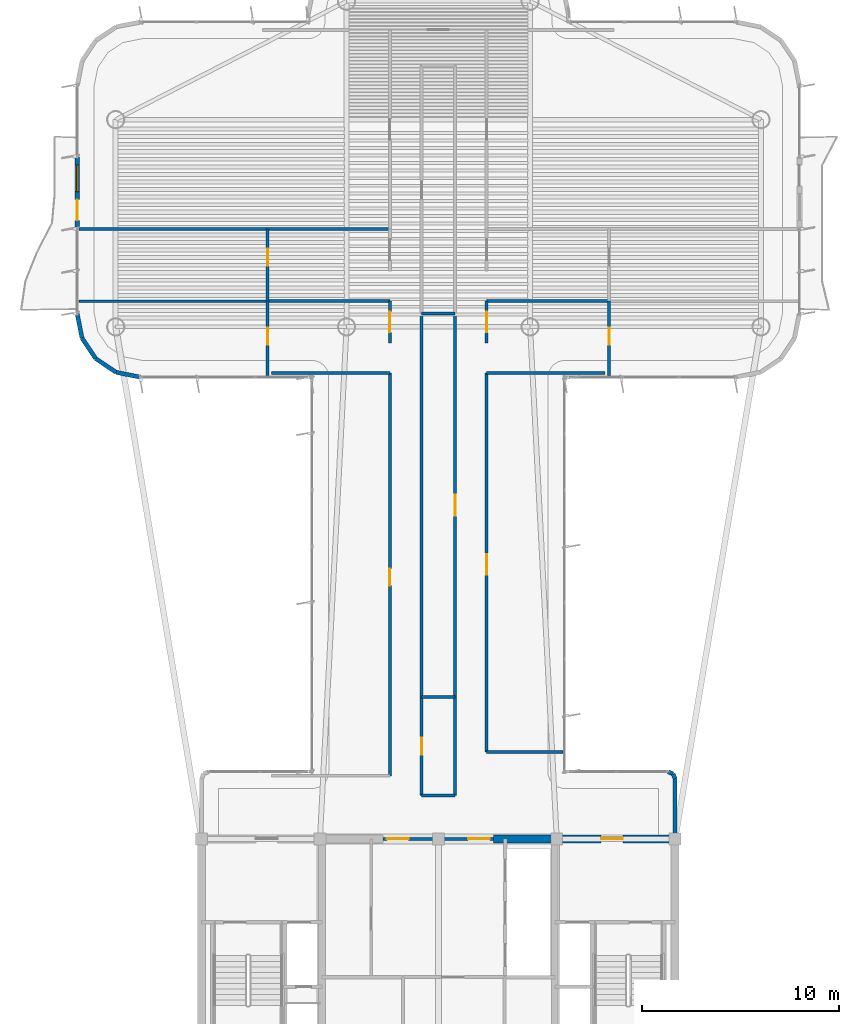
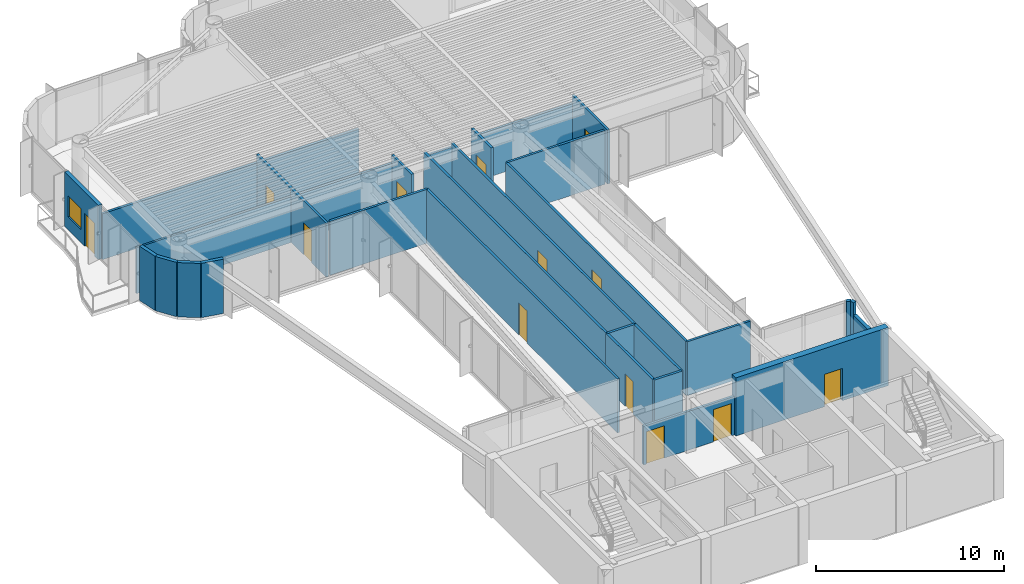
# One storey, part 11 of 15: 31 walls, 13 doors, 1 window, 14 openings.
"""IFC4 building model written with IfcOpenShell, lengths in metres."""

import ifcopenshell
import ifcopenshell.guid

model = None  # the IFC model being written
_history = None  # IfcOwnerHistory: only IFC2X3 demands one
_inside = {}  # id of a spatial element -> (the spatial element, [elements in it])
_under = {}  # id of a project, library or spatial element -> (it, [spatial elements below it])
_declared = {}  # id of a project -> (the project, [libraries it declares])
_typed = {}  # id of a type object -> (the type object, [elements of that type])
_made_of = {}  # id of a material, layer set ... -> (it, [elements and type objects made of it])


def new_model(schema):
    """Start an empty IFC model of exactly this schema.

    Asked for "IFC4X3", IfcOpenShell would pick the latest addendum, in which some entities
    have other attributes; the version numbers below select the first issue.
    IFC2X3 requires an IfcOwnerHistory on every rooted entity: one is made here for all.
    """
    global model, _history
    if schema == "IFC4X3":
        model = ifcopenshell.file(schema_version=(4, 3, 0, 0))
    else:
        model = ifcopenshell.file(schema=schema)
    _inside.clear()
    _under.clear()
    _declared.clear()
    _typed.clear()
    _made_of.clear()
    _history = None
    if model.schema == "IFC2X3":
        org = make("IfcOrganization", Name="unknown")
        user = make(
            "IfcPersonAndOrganization",
            ThePerson=make("IfcPerson", FamilyName="unknown"),
            TheOrganization=org,
        )
        app = make(
            "IfcApplication",
            ApplicationDeveloper=org,
            Version="unknown",
            ApplicationFullName="unknown",
            ApplicationIdentifier="unknown",
        )
        _history = make(
            "IfcOwnerHistory",
            OwningUser=user,
            OwningApplication=app,
            ChangeAction="ADDED",
            CreationDate=0,
        )
    return model


def make(cls, **values):
    """One entity of the class cls with the attributes given. An attribute that is None is left unset."""
    return model.create_entity(
        cls, **{name: value for name, value in values.items() if value is not None}
    )


def rooted(cls, **values):
    """An entity with a GlobalId (a new one), such as an element, a storey or a relation."""
    return make(cls, GlobalId=ifcopenshell.guid.new(), OwnerHistory=_history, **values)


def si_unit(unit_type, name, prefix=None):
    """IfcSIUnit, for example si_unit("LENGTHUNIT", "METRE", prefix="MILLI")."""
    return make("IfcSIUnit", UnitType=unit_type, Prefix=prefix, Name=name)


def assignment(units):
    """IfcUnitAssignment: the units of a project."""
    return None if units is None else make("IfcUnitAssignment", Units=units)


def point(xyz):
    """IfcCartesianPoint."""
    return None if xyz is None else make("IfcCartesianPoint", Coordinates=xyz)


def direction(xyz):
    """IfcDirection."""
    return None if xyz is None else make("IfcDirection", DirectionRatios=xyz)


def frame(location, z_axis=None, x_axis=None):
    """IfcAxis2Placement3D, a coordinate frame: its origin and axes. An axis left out is left unset."""
    return make(
        "IfcAxis2Placement3D",
        Location=point(location),
        Axis=direction(z_axis),
        RefDirection=direction(x_axis),
    )


def frame_2d(location, x_axis=None):
    """IfcAxis2Placement2D, a coordinate frame in the plane: its origin and x axis."""
    return make(
        "IfcAxis2Placement2D", Location=point(location), RefDirection=direction(x_axis)
    )


def origin():
    """The frame at (0, 0, 0) with its axes left unset."""
    return frame((0.0, 0.0, 0.0))


def origin_2d():
    """The frame at (0, 0) in the plane with its x axis left unset."""
    return frame_2d((0.0, 0.0))


def place(relative_to, where):
    """IfcLocalPlacement: puts the frame where relative to a parent placement (None: the world)."""
    return make(
        "IfcLocalPlacement", PlacementRelTo=relative_to, RelativePlacement=where
    )


def context(
    kind, dimensions, precision=None, world=None, true_north=None, identifier=None
):
    """IfcGeometricRepresentationContext, for example the 3D "Model" context."""
    return make(
        "IfcGeometricRepresentationContext",
        ContextIdentifier=identifier,
        ContextType=kind,
        CoordinateSpaceDimension=dimensions,
        Precision=precision,
        WorldCoordinateSystem=world,
        TrueNorth=true_north,
    )


def subcontext(parent, identifier, kind, view, scale=None):
    """IfcGeometricRepresentationSubContext, for example "Body" below "Model"."""
    return make(
        "IfcGeometricRepresentationSubContext",
        ContextIdentifier=identifier,
        ContextType=kind,
        ParentContext=parent,
        TargetScale=scale,
        TargetView=view,
    )


def project(units=None, contexts=None):
    """IfcProject with its units and contexts."""
    return rooted(
        "IfcProject",
        Name="project",
        RepresentationContexts=contexts,
        UnitsInContext=assignment(units),
    )


def spatial(cls, under=None, at=None, **own):
    """A site, building, storey or space (cls), placed at a placement, below another one or the project."""
    s = rooted(cls, ObjectPlacement=at, **own)
    if under is not None:
        _under.setdefault(under.id(), (under, []))[1].append(s)
    return s


def profile(cls, at=None, kind="AREA", **sizes):
    """A parametric profile (cls). Its sizes go by their IFC names, for example OverallWidth=200.0."""
    return make(cls, ProfileType=kind, Position=at, **sizes)


def rectangle(**sizes):
    """IfcRectangleProfileDef."""
    return profile("IfcRectangleProfileDef", **sizes)


def extrude(swept, where, along, depth):
    """IfcExtrudedAreaSolid: the profile swept, set in the frame where, extruded along a direction by depth."""
    return make(
        "IfcExtrudedAreaSolid",
        SweptArea=swept,
        Position=where,
        ExtrudedDirection=direction(along),
        Depth=depth,
    )


def shape(context_of_items, identifier, shape_type, items):
    """IfcShapeRepresentation: the items that make up one representation, for example the "Body"."""
    return make(
        "IfcShapeRepresentation",
        ContextOfItems=context_of_items,
        RepresentationIdentifier=identifier,
        RepresentationType=shape_type,
        Items=items,
    )


def source(mapping_origin, context_of_items, identifier, shape_type, items):
    """IfcRepresentationMap: a shape defined once, which mapped items show again and again."""
    return make(
        "IfcRepresentationMap",
        MappingOrigin=mapping_origin,
        MappedRepresentation=shape(context_of_items, identifier, shape_type, items),
    )


def transform(
    local_origin,
    x_axis=None,
    y_axis=None,
    z_axis=None,
    scale=None,
    scale2=None,
    scale3=None,
    uniform=True,
):
    """IfcCartesianTransformationOperator3D, or its non-uniform kind. x_axis, y_axis, z_axis: its Axis1, 2, 3."""
    if uniform:
        return make(
            "IfcCartesianTransformationOperator3D",
            Axis1=direction(x_axis),
            Axis2=direction(y_axis),
            LocalOrigin=point(local_origin),
            Scale=scale,
            Axis3=direction(z_axis),
        )
    return make(
        "IfcCartesianTransformationOperator3DnonUniform",
        Axis1=direction(x_axis),
        Axis2=direction(y_axis),
        LocalOrigin=point(local_origin),
        Scale=scale,
        Axis3=direction(z_axis),
        Scale2=scale2,
        Scale3=scale3,
    )


def mapped(mapping_source, mapping_target):
    """IfcMappedItem: shows the shape of a source again, moved by a transform."""
    return make(
        "IfcMappedItem", MappingSource=mapping_source, MappingTarget=mapping_target
    )


def material(Name=None, Category=None):
    """IfcMaterial."""
    return make("IfcMaterial", Name=Name, Category=Category)


def layer(
    of_material, thickness, ventilated=None, Name=None, Category=None, Priority=None
):
    """IfcMaterialLayer: one layer of a wall or slab, of a material (None: an air gap)."""
    return make(
        "IfcMaterialLayer",
        Material=of_material,
        LayerThickness=thickness,
        IsVentilated=ventilated,
        Name=Name,
        Category=Category,
        Priority=Priority,
    )


def layer_set(layers, Name=None):
    """IfcMaterialLayerSet."""
    return make("IfcMaterialLayerSet", MaterialLayers=layers, LayerSetName=Name)


def made_of(thing, what):
    """Note that an element or type object is made of a material, layer set ...; save() writes the relation."""
    if what is not None:
        _made_of.setdefault(what.id(), (what, []))[1].append(thing)
    return thing


def type_object(cls, material=None, **own):
    """A type object (cls), such as IfcWallType, which elements share."""
    return made_of(rooted(cls, **own), material)


def element(
    cls,
    number,
    at=None,
    inside=None,
    cuts=None,
    type_object=None,
    material=None,
    context=None,
    identifier="Body",
    shape_type=None,
    held_by="IfcProductDefinitionShape",
    body=None,
    shapes=None,
    **own,
):
    """One element of the class cls, such as IfcWall. Its Tag is "e" and its number.

    at: its placement. inside: the storey or other place that contains it. cuts: it is an
    opening in that element (IfcRelVoidsElement). A single representation is given by context,
    identifier, shape_type and body (its items); several are given by shapes. held_by: the class
    of the entity that holds the representations. save() writes the other relations.
    """
    e = rooted(cls, Tag="e%d" % number, ObjectPlacement=at, **own)
    if body is not None:
        shapes = [shape(context, identifier, shape_type, body)]
    if shapes is not None:
        e.Representation = make(held_by, Representations=shapes)
    if inside is not None:
        _inside.setdefault(inside.id(), (inside, []))[1].append(e)
    if cuts is not None:
        rooted(
            "IfcRelVoidsElement", RelatingBuildingElement=cuts, RelatedOpeningElement=e
        )
    if type_object is not None:
        _typed.setdefault(type_object.id(), (type_object, []))[1].append(e)
    return made_of(e, material)


def fill(opening, filler):
    """IfcRelFillsElement: the door or window that sits in an opening."""
    return rooted(
        "IfcRelFillsElement",
        RelatingOpeningElement=opening,
        RelatedBuildingElement=filler,
    )


def aggregate(whole, parts):
    """IfcRelAggregates: a whole, such as a stair, and the parts it consists of."""
    return rooted("IfcRelAggregates", RelatingObject=whole, RelatedObjects=parts)


def save(model, path):
    """Write the relations noted so far, then the file.

    IfcRelAggregates (storeys below a building ...), IfcRelContainedInSpatialStructure (elements
    in a storey), IfcRelDefinesByType, IfcRelAssociatesMaterial and IfcRelDeclares: one each for
    every whole, place, type object, material and project.
    """
    for whole, parts in _under.values():
        aggregate(whole, parts)
    for where, things in _inside.values():
        rooted(
            "IfcRelContainedInSpatialStructure",
            RelatedElements=things,
            RelatingStructure=where,
        )
    for kind, things in _typed.values():
        rooted("IfcRelDefinesByType", RelatedObjects=things, RelatingType=kind)
    for what, things in _made_of.values():
        rooted("IfcRelAssociatesMaterial", RelatedObjects=things, RelatingMaterial=what)
    for by, libraries in _declared.values():
        rooted("IfcRelDeclares", RelatingContext=by, RelatedDefinitions=libraries)
    model.write(path)


model = new_model("IFC4")

# Units and contexts
model_context = context("Model", 3, precision=1e-05, world=origin(), true_north=direction((0.0, 1.0)))
body_context = subcontext(model_context, "Body", "Model", "MODEL_VIEW")
ifc_project = project(units=[si_unit("LENGTHUNIT", "METRE"), si_unit("AREAUNIT", "SQUARE_METRE"), si_unit("VOLUMEUNIT", "CUBIC_METRE"), si_unit("PLANEANGLEUNIT", "RADIAN"), si_unit("MASSUNIT", "GRAM", prefix="KILO")], contexts=[model_context])

# Site, building, storey
site_placement = place(None, origin())
site = spatial("IfcSite", under=ifc_project, at=site_placement, CompositionType="ELEMENT")
building_placement = place(site_placement, origin())
building = spatial("IfcBuilding", under=site, at=building_placement, Name="Brelvock Crest Care Tower", CompositionType="ELEMENT")
storey_placement = place(building_placement, frame((0.0, 0.0, 249.47998046875)))
storey = spatial("IfcBuildingStorey", under=building, at=storey_placement, Name="L63", CompositionType="ELEMENT", Elevation=249.47998046875)

# Wall, opening, door
ifc_material_1 = material(Name="Concrete S65 (65 MPa)", Category="concrete")
ifc_layer_1 = layer(ifc_material_1, 0.39990234375, Name="WL-CS4")
ifc_layer_set_1 = layer_set([ifc_layer_1], Name="Concrete S65 (65 MPa)")
wall_type_1 = type_object("IfcWallType", Name="WL-CS4", PredefinedType="SHEAR", material=ifc_layer_set_1)
wall_1_placement = place(storey_placement, frame((38.800048828125, 18.0, 0.0), z_axis=(0.0, 0.0, 1.0), x_axis=(1.0, 0.0, 0.0)))
wall_1 = element("IfcWall", 1, at=wall_1_placement, inside=storey, type_object=wall_type_1, Name="L63 Core North-East Shear Wall", PredefinedType="SHEAR", context=body_context, shape_type="SweptSolid", body=[
    extrude(rectangle(XDim=9.39990234375, YDim=0.39990234375, at=frame_2d((4.699951171875, 0.0))), origin(), (0.0, 0.0, 1.0), 3.780029296875),
])
opening_1_placement = place(wall_1_placement, frame((5.449951171875, 0.0, 0.0)))
opening_1 = element("IfcOpeningElement", 2, at=opening_1_placement, cuts=wall_1, Name="Opening FD-1", PredefinedType="OPENING", context=body_context, shape_type="SweptSolid", body=[
    extrude(rectangle(XDim=1.10009765625, YDim=2.10009765625, at=origin_2d()), frame((0.550048828125, 0.2099609375, 1.050048828125), z_axis=(0.0, -1.0, 0.0), x_axis=(1.0, 0.0, 0.0)), (0.0, 0.0, 1.0), 0.419921875),
])
ifc_material_2 = material(Name="Steel Grade 350", Category="steel")
door_type_1 = type_object("IfcDoorType", Name="DR-FFL1", OperationType="NOTDEFINED", PredefinedType="DOOR", material=ifc_material_2)
shared_shape_1 = source(origin(), body_context, "Body", "SweptSolid", [
    extrude(rectangle(XDim=1.10009765625, YDim=2.10009765625, at=origin_2d()), frame((0.550048828125, 0.02490234375, 1.050048828125), z_axis=(0.0, -1.0, 0.0), x_axis=(1.0, 0.0, 0.0)), (0.0, 0.0, 1.0), 0.050048828125),
])
door_1_placement = place(opening_1_placement, origin())
door_1 = element("IfcDoor", 3, at=door_1_placement, inside=storey, type_object=door_type_1, Name="L63 Firefighting Lobby FFL-2 Exit Door", OperationType="SINGLE_SWING_RIGHT", OverallHeight=2.10009765625, OverallWidth=1.10009765625, PredefinedType="DOOR", context=body_context, shape_type="MappedRepresentation", body=[
    mapped(shared_shape_1, transform((0.0, 0.0, 0.0), x_axis=(1.0, 0.0, 0.0), y_axis=(0.0, 1.0, 0.0), z_axis=(0.0, 0.0, 1.0), scale=1.0)),
])
fill(opening_1, door_1)

# Wall, openings, door, window
ifc_material_3 = material(Name="Precast concrete N40 (40 MPa)", Category="concrete")
ifc_layer_2 = layer(ifc_material_3, 0.239990234375, Name="WL-EX1")
ifc_layer_set_2 = layer_set([ifc_layer_2], Name="Precast concrete N40 (40 MPa)")
wall_type_2 = type_object("IfcWallType", Name="WL-EX1", PredefinedType="SOLIDWALL", material=ifc_layer_set_2)
wall_2_placement = place(storey_placement, frame((17.699951171875, 48.949951171875, 0.0), z_axis=(0.0, 0.0, 1.0), x_axis=(0.0, 1.0, 0.0)))
wall_2 = element("IfcWall", 4, at=wall_2_placement, inside=storey, type_object=wall_type_2, Name="L63 Exterior Spandrel Wall WL-BAL-L63-W", PredefinedType="SOLIDWALL", context=body_context, shape_type="SweptSolid", body=[
    extrude(rectangle(XDim=3.60009765625, YDim=0.239990234375, at=frame_2d((1.800048828125, 0.0))), origin(), (0.0, 0.0, 1.0), 3.530029296875),
])
opening_2_placement = place(wall_2_placement, frame((0.39990234375, 0.0, 0.0)))
opening_2 = element("IfcOpeningElement", 5, at=opening_2_placement, cuts=wall_2, Name="Opening BD-1", PredefinedType="OPENING", context=body_context, shape_type="SweptSolid", body=[
    extrude(rectangle(XDim=1.050048828125, YDim=2.14990234375, at=origin_2d()), frame((0.52490234375, 0.1298828125, 1.074951171875), z_axis=(0.0, -1.0, 0.0), x_axis=(1.0, 0.0, 0.0)), (0.0, 0.0, 1.0), 0.260009765625),
])
opening_3_placement = place(wall_2_placement, frame((1.85009765625, 0.0, 0.85009765625)))
opening_3 = element("IfcOpeningElement", 6, at=opening_3_placement, cuts=wall_2, Name="Opening W-01", PredefinedType="OPENING", context=body_context, shape_type="SweptSolid", body=[
    extrude(rectangle(XDim=1.35009765625, YDim=1.35009765625, at=origin_2d()), frame((0.675048828125, 0.1298828125, 0.675048828125), z_axis=(0.0, -1.0, 0.0), x_axis=(1.0, 0.0, 0.0)), (0.0, 0.0, 1.0), 0.260009765625),
])
ifc_material_4 = material(Name="Dark Glass Double Glazed Low-E", Category="glass")
door_type_2 = type_object("IfcDoorType", Name="DR-BAL1", OperationType="NOTDEFINED", PredefinedType="DOOR", material=ifc_material_4)
shared_shape_2 = source(origin(), body_context, "Body", "SweptSolid", [
    extrude(rectangle(XDim=1.050048828125, YDim=2.14990234375, at=origin_2d()), frame((0.52490234375, 0.02490234375, 1.074951171875), z_axis=(0.0, -1.0, 0.0), x_axis=(1.0, 0.0, 0.0)), (0.0, 0.0, 1.0), 0.050048828125),
])
door_2_placement = place(opening_2_placement, origin())
door_2 = element("IfcDoor", 7, at=door_2_placement, inside=storey, type_object=door_type_2, Name="L63 W Wave Balcony Glazed Door", OperationType="SINGLE_SWING_LEFT", OverallHeight=2.14990234375, OverallWidth=1.050048828125, PredefinedType="DOOR", context=body_context, shape_type="MappedRepresentation", body=[
    mapped(shared_shape_2, transform((0.0, 0.0, 0.0), x_axis=(1.0, 0.0, 0.0), y_axis=(0.0, 1.0, 0.0), z_axis=(0.0, 0.0, 1.0), scale=1.0)),
])
fill(opening_2, door_2)
window_type = type_object("IfcWindowType", Name="WN-EX1", PartitioningType="SINGLE_PANEL", PredefinedType="WINDOW", material=ifc_material_4)
shared_shape_3 = source(origin(), body_context, "Body", "SweptSolid", [
    extrude(rectangle(XDim=1.35009765625, YDim=1.35009765625, at=origin_2d()), frame((0.675048828125, 0.030029296875, 0.675048828125), z_axis=(0.0, -1.0, 0.0), x_axis=(1.0, 0.0, 0.0)), (0.0, 0.0, 1.0), 0.06005859375),
])
window_placement = place(opening_3_placement, origin())
window = element("IfcWindow", 8, at=window_placement, inside=storey, type_object=window_type, Name="L63 W Suite Casement Window", OverallHeight=1.35009765625, OverallWidth=1.35009765625, PartitioningType="SINGLE_PANEL", PredefinedType="WINDOW", context=body_context, shape_type="MappedRepresentation", body=[
    mapped(shared_shape_3, transform((0.0, 0.0, 0.0), x_axis=(1.0, 0.0, 0.0), y_axis=(0.0, 1.0, 0.0), z_axis=(0.0, 0.0, 1.0), scale=1.0)),
])
fill(opening_3, window)

# Walls
ifc_layer_3 = layer(ifc_material_3, 0.215087890625, Name="WL-EX2")
ifc_layer_set_3 = layer_set([ifc_layer_3], Name="Precast concrete N40 (40 MPa)")
wall_type_3 = type_object("IfcWallType", Name="WL-EX2", PredefinedType="SOLIDWALL", material=ifc_layer_set_3)
wall_3_placement = place(storey_placement, frame((47.8974609375, 21.297607421875, 0.0), z_axis=(0.0, 0.0, 1.0), x_axis=(0.382673670509, -0.923883575944, 0.0)))
element("IfcWall", 9, at=wall_3_placement, inside=storey, type_object=wall_type_3, Name="L63 Rounded Corner Wall 00", PredefinedType="SOLIDWALL", context=body_context, shape_type="SweptSolid", body=[
    extrude(rectangle(XDim=0.26806640625, YDim=0.215087890625, at=frame_2d((0.134033203125, 0.0))), origin(), (0.0, 0.0, 1.0), 3.530029296875),
])
wall_4_placement = place(storey_placement, frame((48.0, 21.050048828125, 0.0), z_axis=(0.0, 0.0, 1.0), x_axis=(0.0, -1.0, 0.0)))
element("IfcWall", 10, at=wall_4_placement, inside=storey, type_object=wall_type_3, Name="L63 Rounded Corner Wall 01", PredefinedType="SOLIDWALL", context=body_context, shape_type="SweptSolid", body=[
    extrude(rectangle(XDim=2.77001953125, YDim=0.215087890625, at=frame_2d((1.385009765625, 0.0))), origin(), (0.0, 0.0, 1.0), 2.718017578125),
])
for number, where, z_axis, x_axis, name in (
    (11, (20.89990234375, 41.39990234375, 0.0), (0.0, 0.0, 1.0), (-0.980775717779, 0.195138390419, 0.0), "L63 Rounded Corner Wall 13"),
    (12, (19.67529296875, 41.6435546875, 0.0), (0.0, 0.0, 1.0), (-0.831387912822, 0.555692485475, 0.0), "L63 Rounded Corner Wall 14"),
    (13, (18.63720703125, 42.33740234375, 0.0), (0.0, 0.0, 1.0), (-0.555557312883, 0.831478245117, 0.0), "L63 Rounded Corner Wall 15"),
    (14, (17.943603515625, 43.37548828125, 0.0), (0.0, 0.0, 1.0), (-0.195138390419, 0.980775717779, 0.0), "L63 Rounded Corner Wall 16"),
):
    element("IfcWall", number, at=place(storey_placement, frame(where, z_axis=z_axis, x_axis=x_axis)), inside=storey, type_object=wall_type_3, Name=name, PredefinedType="SOLIDWALL", context=body_context, shape_type="SweptSolid", body=[
        extrude(rectangle(XDim=1.24853515625, YDim=0.215087890625, at=frame_2d((0.624267578125, 0.0))), origin(), (0.0, 0.0, 1.0), 3.530029296875),
    ])
wall_5_placement = place(storey_placement, frame((47.64990234375, 21.39990234375, 0.0), z_axis=(0.0, 0.0, 1.0), x_axis=(0.924205486139, -0.381895560841, 0.0)))
element("IfcWall", 15, at=wall_5_placement, inside=storey, type_object=wall_type_3, Name="L63 Rounded Corner Wall 47", PredefinedType="SOLIDWALL", context=body_context, shape_type="SweptSolid", body=[
    extrude(rectangle(XDim=0.267822265625, YDim=0.215087890625, at=frame_2d((0.1337890625, 0.0))), origin(), (0.0, 0.0, 1.0), 3.530029296875),
])

# Wall, openings, doors
ifc_material_5 = material(Name="Masonry Blockwork Acoustic Partition", Category="masonry")
ifc_layer_4 = layer(ifc_material_5, 0.14990234375, Name="WL-INT1")
ifc_layer_set_4 = layer_set([ifc_layer_4], Name="Masonry Blockwork Acoustic Partition")
wall_type_4 = type_object("IfcWallType", Name="WL-INT1", PredefinedType="PARTITIONING", material=ifc_layer_set_4)
wall_6_placement = place(storey_placement, frame((33.199951171875, 18.0, 0.0), z_axis=(0.0, 0.0, 1.0), x_axis=(1.0, 0.0, 0.0)))
wall_6 = element("IfcWall", 16, at=wall_6_placement, inside=storey, type_object=wall_type_4, Name="L63 Interior Wall WL-CORE-NPORT-L63", PredefinedType="PARTITIONING", context=body_context, shape_type="SweptSolid", body=[
    extrude(rectangle(XDim=5.60009765625, YDim=0.14990234375, at=frame_2d((2.800048828125, 0.0))), origin(), (0.0, 0.0, 1.0), 2.51513671875),
])
opening_4_placement = place(wall_6_placement, frame((0.18994140625, 0.0, 0.0)))
opening_4 = element("IfcOpeningElement", 17, at=opening_4_placement, cuts=wall_6, Name="Opening FD-1", PredefinedType="OPENING", context=body_context, shape_type="SweptSolid", body=[
    extrude(rectangle(XDim=1.10009765625, YDim=2.10009765625, at=origin_2d()), frame((0.550048828125, 0.0849609375, 1.050048828125), z_axis=(0.0, -1.0, 0.0), x_axis=(1.0, 0.0, 0.0)), (0.0, 0.0, 1.0), 0.169921875),
])
opening_5_placement = place(wall_6_placement, frame((4.31005859375, 0.0, 0.0)))
opening_5 = element("IfcOpeningElement", 18, at=opening_5_placement, cuts=wall_6, Name="Opening FD-1", PredefinedType="OPENING", context=body_context, shape_type="SweptSolid", body=[
    extrude(rectangle(XDim=1.10009765625, YDim=2.10009765625, at=origin_2d()), frame((0.550048828125, 0.0849609375, 1.050048828125), z_axis=(0.0, -1.0, 0.0), x_axis=(1.0, 0.0, 0.0)), (0.0, 0.0, 1.0), 0.169921875),
])
door_3_placement = place(opening_4_placement, origin())
door_3 = element("IfcDoor", 19, at=door_3_placement, inside=storey, type_object=door_type_1, Name="L63 Lift Lobby North Smoke Door West", OperationType="SINGLE_SWING_LEFT", OverallHeight=2.10009765625, OverallWidth=1.10009765625, PredefinedType="DOOR", context=body_context, shape_type="MappedRepresentation", body=[
    mapped(shared_shape_1, transform((0.0, 0.0, 0.0), x_axis=(1.0, 0.0, 0.0), y_axis=(0.0, 1.0, 0.0), z_axis=(0.0, 0.0, 1.0), scale=1.0)),
])
fill(opening_4, door_3)
door_4_placement = place(opening_5_placement, origin())
door_4 = element("IfcDoor", 20, at=door_4_placement, inside=storey, type_object=door_type_1, Name="L63 Lift Lobby North Smoke Door East", OperationType="SINGLE_SWING_RIGHT", OverallHeight=2.10009765625, OverallWidth=1.10009765625, PredefinedType="DOOR", context=body_context, shape_type="MappedRepresentation", body=[
    mapped(shared_shape_1, transform((0.0, 0.0, 0.0), x_axis=(1.0, 0.0, 0.0), y_axis=(0.0, 1.0, 0.0), z_axis=(0.0, 0.0, 1.0), scale=1.0)),
])
fill(opening_5, door_4)

# Walls
wall_7_placement = place(storey_placement, frame((38.449951171875, 22.39990234375, 0.0), z_axis=(0.0, 0.0, 1.0), x_axis=(1.0, 0.0, 0.0)))
element("IfcWall", 21, at=wall_7_placement, inside=storey, type_object=wall_type_4, Name="L63 Interior Wall WL-BX-L63-THRE-S", PredefinedType="PARTITIONING", context=body_context, shape_type="SweptSolid", body=[
    extrude(rectangle(XDim=3.873291015625, YDim=0.14990234375, at=frame_2d((1.9365234375, 0.0))), origin(), (0.0, 0.0, 1.0), 3.5),
])
wall_8_placement = place(storey_placement, frame((27.557861328125, 41.60009765625, 0.0), z_axis=(0.0, 0.0, 1.0), x_axis=(1.0, 0.0, 0.0)))
element("IfcWall", 22, at=wall_8_placement, inside=storey, type_object=wall_type_4, Name="L63 Interior Wall WL-BX-L63-CS-WR1A-S", PredefinedType="PARTITIONING", context=body_context, shape_type="SweptSolid", body=[
    extrude(rectangle(XDim=5.9921875, YDim=0.14990234375, at=frame_2d((2.99609375, 0.0))), origin(), (0.0, 0.0, 1.0), 3.5),
])
wall_9_placement = place(storey_placement, frame((38.449951171875, 41.60009765625, 0.0), z_axis=(0.0, 0.0, 1.0), x_axis=(1.0, 0.0, 0.0)))
element("IfcWall", 23, at=wall_9_placement, inside=storey, type_object=wall_type_4, Name="L63 Interior Wall WL-BX-L63-CS-ER1A-S", PredefinedType="PARTITIONING", context=body_context, shape_type="SweptSolid", body=[
    extrude(rectangle(XDim=5.993408203125, YDim=0.14990234375, at=frame_2d((2.99658203125, 0.0))), origin(), (0.0, 0.0, 1.0), 3.5),
])
wall_10_placement = place(storey_placement, frame((35.14990234375, 44.6201171875, 0.0), z_axis=(0.0, 0.0, 1.0), x_axis=(1.0, 0.0, 0.0)))
element("IfcWall", 24, at=wall_10_placement, inside=storey, type_object=wall_type_4, Name="L63 Interior Wall WL-BX-L63-ISKT-S", PredefinedType="PARTITIONING", context=body_context, shape_type="SweptSolid", body=[
    extrude(rectangle(XDim=1.7001953125, YDim=0.14990234375, at=frame_2d((0.85009765625, 0.0))), origin(), (0.0, 0.0, 1.0), 3.259033203125),
])
for number, where, z_axis, x_axis, name in (
    (25, (27.35009765625, 45.25390625, 0.0), (0.0, 0.0, 1.0), (1.0, 0.0, 0.0), "L63 Interior Wall WL-BX-L63-CS-WR1A-N"),
    (26, (38.449951171875, 45.25390625, 0.0), (0.0, 0.0, 1.0), (1.0, 0.0, 0.0), "L63 Interior Wall WL-BX-L63-CS-ER1A-N"),
):
    element("IfcWall", number, at=place(storey_placement, frame(where, z_axis=z_axis, x_axis=x_axis)), inside=storey, type_object=wall_type_4, Name=name, PredefinedType="PARTITIONING", context=body_context, shape_type="SweptSolid", body=[
        extrude(rectangle(XDim=6.199951171875, YDim=0.14990234375, at=frame_2d((3.10009765625, 0.0))), origin(), (0.0, 0.0, 1.0), 2.98193359375),
    ])
wall_11_placement = place(storey_placement, frame((17.780029296875, 48.907958984375, 0.0), z_axis=(0.0, 0.0, 1.0), x_axis=(1.0, 0.0, 0.0)))
element("IfcWall", 27, at=wall_11_placement, inside=storey, type_object=wall_type_4, Name="L63 Interior Wall WL-BX-L63-WRC-S", PredefinedType="PARTITIONING", context=body_context, shape_type="SweptSolid", body=[
    extrude(rectangle(XDim=15.77001953125, YDim=0.14990234375, at=frame_2d((7.885009765625, 0.0))), origin(), (0.0, 0.0, 1.0), 2.98193359375),
])

# Wall, opening, door
wall_12_placement = place(storey_placement, frame((27.35009765625, 41.47998046875, 0.0), z_axis=(0.0, 0.0, 1.0), x_axis=(0.0, 1.0, 0.0)))
wall_12 = element("IfcWall", 28, at=wall_12_placement, inside=storey, type_object=wall_type_4, Name="L63 Interior Wall WL-RM-L63-WR1AS", PredefinedType="PARTITIONING", context=body_context, shape_type="SweptSolid", body=[
    extrude(rectangle(XDim=3.77392578125, YDim=0.14990234375, at=frame_2d((1.886962890625, 0.0))), origin(), (0.0, 0.0, 1.0), 3.5),
])
opening_6_placement = place(wall_12_placement, frame((1.56005859375, 0.0, 0.0)))
opening_6 = element("IfcOpeningElement", 29, at=opening_6_placement, cuts=wall_12, Name="Opening ID-1", PredefinedType="OPENING", context=body_context, shape_type="SweptSolid", body=[
    extrude(rectangle(XDim=0.860107421875, YDim=2.10009765625, at=origin_2d()), frame((0.43017578125, 0.0849609375, 1.050048828125), z_axis=(0.0, -1.0, 0.0), x_axis=(1.0, 0.0, 0.0)), (0.0, 0.0, 1.0), 0.169921875),
])
ifc_material_6 = material(Name="Engineered Hardwood Timber", Category="wood")
door_type_3 = type_object("IfcDoorType", Name="DR-INT1", OperationType="NOTDEFINED", PredefinedType="DOOR", material=ifc_material_6)
shared_shape_4 = source(origin(), body_context, "Body", "SweptSolid", [
    extrude(rectangle(XDim=0.860107421875, YDim=2.10009765625, at=origin_2d()), frame((0.43017578125, 0.02490234375, 1.050048828125), z_axis=(0.0, -1.0, 0.0), x_axis=(1.0, 0.0, 0.0)), (0.0, 0.0, 1.0), 0.050048828125),
])
door_5_placement = place(opening_6_placement, origin())
door_5 = element("IfcDoor", 30, at=door_5_placement, inside=storey, type_object=door_type_3, Name="L63 Rehab Recovery Mobility Store Door WR1AS", OperationType="SINGLE_SWING_LEFT", OverallHeight=2.10009765625, OverallWidth=0.860107421875, PredefinedType="DOOR", context=body_context, shape_type="MappedRepresentation", body=[
    mapped(shared_shape_4, transform((0.0, 0.0, 0.0), x_axis=(1.0, 0.0, 0.0), y_axis=(0.0, 1.0, 0.0), z_axis=(0.0, 0.0, 1.0), scale=1.0)),
])
fill(opening_6, door_5)

wall_13_placement = place(storey_placement, frame((27.35009765625, 45.25390625, 0.0), z_axis=(0.0, 0.0, 1.0), x_axis=(0.0, 1.0, 0.0)))
wall_13 = element("IfcWall", 31, at=wall_13_placement, inside=storey, type_object=wall_type_4, Name="L63 Interior Wall WL-RM-L63-WR1BS", PredefinedType="PARTITIONING", context=body_context, shape_type="SweptSolid", body=[
    extrude(rectangle(XDim=3.654052734375, YDim=0.14990234375, at=frame_2d((1.8271484375, 0.0))), origin(), (0.0, 0.0, 1.0), 3.5),
])
opening_7_placement = place(wall_13_placement, frame((1.785888671875, 0.0, 0.0)))
opening_7 = element("IfcOpeningElement", 32, at=opening_7_placement, cuts=wall_13, Name="Opening ID-1", PredefinedType="OPENING", context=body_context, shape_type="SweptSolid", body=[
    extrude(rectangle(XDim=0.860107421875, YDim=2.10009765625, at=origin_2d()), frame((0.43017578125, 0.0849609375, 1.050048828125), z_axis=(0.0, -1.0, 0.0), x_axis=(1.0, 0.0, 0.0)), (0.0, 0.0, 1.0), 0.169921875),
])
door_6_placement = place(opening_7_placement, origin())
door_6 = element("IfcDoor", 33, at=door_6_placement, inside=storey, type_object=door_type_3, Name="L63 Rehab Recovery Mobility Store Door WR1BS", OperationType="SINGLE_SWING_LEFT", OverallHeight=2.10009765625, OverallWidth=0.860107421875, PredefinedType="DOOR", context=body_context, shape_type="MappedRepresentation", body=[
    mapped(shared_shape_4, transform((0.0, 0.0, 0.0), x_axis=(1.0, 0.0, 0.0), y_axis=(0.0, 1.0, 0.0), z_axis=(0.0, 0.0, 1.0), scale=1.0)),
])
fill(opening_7, door_6)

wall_14_placement = place(storey_placement, frame((33.550048828125, 21.199951171875, 0.0), z_axis=(0.0, 0.0, 1.0), x_axis=(0.0, 1.0, 0.0)))
wall_14 = element("IfcWall", 34, at=wall_14_placement, inside=storey, type_object=wall_type_4, Name="L63 Interior Wall WL-RM-L63-THRW", PredefinedType="PARTITIONING", context=body_context, shape_type="SweptSolid", body=[
    extrude(rectangle(XDim=20.400146484375, YDim=0.14990234375, at=frame_2d((10.2001953125, 0.0))), origin(), (0.0, 0.0, 1.0), 3.5),
])
opening_8_placement = place(wall_14_placement, frame((9.639892578125, 0.0, 0.0)))
opening_8 = element("IfcOpeningElement", 35, at=opening_8_placement, cuts=wall_14, Name="Opening ID-1", PredefinedType="OPENING", context=body_context, shape_type="SweptSolid", body=[
    extrude(rectangle(XDim=0.860107421875, YDim=2.10009765625, at=origin_2d()), frame((0.43017578125, 0.0849609375, 1.050048828125), z_axis=(0.0, -1.0, 0.0), x_axis=(1.0, 0.0, 0.0)), (0.0, 0.0, 1.0), 0.169921875),
])
door_7_placement = place(opening_8_placement, origin())
door_7 = element("IfcDoor", 36, at=door_7_placement, inside=storey, type_object=door_type_3, Name="L63 Quiet Family Consultation Room Door THRW", OperationType="SINGLE_SWING_LEFT", OverallHeight=2.10009765625, OverallWidth=0.860107421875, PredefinedType="DOOR", context=body_context, shape_type="MappedRepresentation", body=[
    mapped(shared_shape_4, transform((0.0, 0.0, 0.0), x_axis=(1.0, 0.0, 0.0), y_axis=(0.0, 1.0, 0.0), z_axis=(0.0, 0.0, 1.0), scale=1.0)),
])
fill(opening_8, door_7)

wall_15_placement = place(storey_placement, frame((33.550048828125, 43.135009765625, 0.0), z_axis=(0.0, 0.0, 1.0), x_axis=(0.0, 1.0, 0.0)))
wall_15 = element("IfcWall", 37, at=wall_15_placement, inside=storey, type_object=wall_type_4, Name="L63 Interior Wall WL-CENT-L63-WR1A", PredefinedType="PARTITIONING", context=body_context, shape_type="SweptSolid", body=[
    extrude(rectangle(XDim=2.118896484375, YDim=0.14990234375, at=frame_2d((1.0595703125, 0.0))), origin(), (0.0, 0.0, 1.0), 3.5),
])
opening_9_placement = place(wall_15_placement, frame((0.5390625, 0.0, 0.0)))
opening_9 = element("IfcOpeningElement", 38, at=opening_9_placement, cuts=wall_15, Name="Opening CD-1", PredefinedType="OPENING", context=body_context, shape_type="SweptSolid", body=[
    extrude(rectangle(XDim=1.050048828125, YDim=2.10009765625, at=origin_2d()), frame((0.52490234375, 0.0849609375, 1.050048828125), z_axis=(0.0, -1.0, 0.0), x_axis=(1.0, 0.0, 0.0)), (0.0, 0.0, 1.0), 0.169921875),
])
door_type_4 = type_object("IfcDoorType", Name="DR-CARE1", OperationType="NOTDEFINED", PredefinedType="DOOR", material=ifc_material_6)
shared_shape_5 = source(origin(), body_context, "Body", "SweptSolid", [
    extrude(rectangle(XDim=1.050048828125, YDim=2.10009765625, at=origin_2d()), frame((0.52490234375, 0.02490234375, 1.050048828125), z_axis=(0.0, -1.0, 0.0), x_axis=(1.0, 0.0, 0.0)), (0.0, 0.0, 1.0), 0.050048828125),
])
door_8_placement = place(opening_9_placement, origin())
door_8 = element("IfcDoor", 39, at=door_8_placement, inside=storey, type_object=door_type_4, Name="L63 Care Suite Door WR1A", OperationType="SINGLE_SWING_LEFT", OverallHeight=2.10009765625, OverallWidth=1.050048828125, PredefinedType="DOOR", context=body_context, shape_type="MappedRepresentation", body=[
    mapped(shared_shape_5, transform((0.0, 0.0, 0.0), x_axis=(1.0, 0.0, 0.0), y_axis=(0.0, 1.0, 0.0), z_axis=(0.0, 0.0, 1.0), scale=1.0)),
])
fill(opening_9, door_8)

# Wall
wall_16_placement = place(storey_placement, frame((35.14990234375, 25.199951171875, 0.0), z_axis=(0.0, 0.0, 1.0), x_axis=(0.0, 1.0, 0.0)))
element("IfcWall", 40, at=wall_16_placement, inside=storey, type_object=wall_type_4, Name="L63 Interior Wall WL-BX-L63-ISNS-W", PredefinedType="PARTITIONING", context=body_context, shape_type="SweptSolid", body=[
    extrude(rectangle(XDim=19.420166015625, YDim=0.14990234375, at=frame_2d((9.7099609375, 0.0))), origin(), (0.0, 0.0, 1.0), 3.5),
])

# Wall, opening, door
wall_17_placement = place(storey_placement, frame((36.85009765625, 25.199951171875, 0.0), z_axis=(0.0, 0.0, 1.0), x_axis=(0.0, 1.0, 0.0)))
wall_17 = element("IfcWall", 41, at=wall_17_placement, inside=storey, type_object=wall_type_4, Name="L63 Interior Wall WL-RM-L63-ISNS", PredefinedType="PARTITIONING", context=body_context, shape_type="SweptSolid", body=[
    extrude(rectangle(XDim=19.420166015625, YDim=0.14990234375, at=frame_2d((9.7099609375, 0.0))), origin(), (0.0, 0.0, 1.0), 3.5),
])
opening_10_placement = place(wall_17_placement, frame((9.18505859375, 0.0, 0.0)))
opening_10 = element("IfcOpeningElement", 42, at=opening_10_placement, cuts=wall_17, Name="Opening CLD-1", PredefinedType="OPENING", context=body_context, shape_type="SweptSolid", body=[
    extrude(rectangle(XDim=1.050048828125, YDim=2.10009765625, at=origin_2d()), frame((0.52490234375, 0.0849609375, 1.050048828125), z_axis=(0.0, -1.0, 0.0), x_axis=(1.0, 0.0, 0.0)), (0.0, 0.0, 1.0), 0.169921875),
])
door_type_5 = type_object("IfcDoorType", Name="DR-CLN1", OperationType="NOTDEFINED", PredefinedType="DOOR", material=ifc_material_6)
shared_shape_6 = source(origin(), body_context, "Body", "SweptSolid", [
    extrude(rectangle(XDim=1.050048828125, YDim=2.10009765625, at=origin_2d()), frame((0.52490234375, 0.02490234375, 1.050048828125), z_axis=(0.0, -1.0, 0.0), x_axis=(1.0, 0.0, 0.0)), (0.0, 0.0, 1.0), 0.050048828125),
])
door_9_placement = place(opening_10_placement, origin())
door_9 = element("IfcDoor", 43, at=door_9_placement, inside=storey, type_object=door_type_5, Name="L63 Care Concierge and Triage Station Door ISNS", OperationType="SINGLE_SWING_LEFT", OverallHeight=2.10009765625, OverallWidth=1.050048828125, PredefinedType="DOOR", context=body_context, shape_type="MappedRepresentation", body=[
    mapped(shared_shape_6, transform((0.0, 0.0, 0.0), x_axis=(1.0, 0.0, 0.0), y_axis=(0.0, 1.0, 0.0), z_axis=(0.0, 0.0, 1.0), scale=1.0)),
])
fill(opening_10, door_9)

wall_18_placement = place(storey_placement, frame((38.449951171875, 22.39990234375, 0.0), z_axis=(0.0, 0.0, 1.0), x_axis=(0.0, 1.0, 0.0)))
wall_18 = element("IfcWall", 44, at=wall_18_placement, inside=storey, type_object=wall_type_4, Name="L63 Interior Wall WL-RM-L63-THRE", PredefinedType="PARTITIONING", context=body_context, shape_type="SweptSolid", body=[
    extrude(rectangle(XDim=19.2001953125, YDim=0.14990234375, at=frame_2d((9.60009765625, 0.0))), origin(), (0.0, 0.0, 1.0), 3.5),
])
opening_11_placement = place(wall_18_placement, frame((8.97509765625, 0.0, 0.0)))
opening_11 = element("IfcOpeningElement", 45, at=opening_11_placement, cuts=wall_18, Name="Opening CLD-1", PredefinedType="OPENING", context=body_context, shape_type="SweptSolid", body=[
    extrude(rectangle(XDim=1.050048828125, YDim=2.10009765625, at=origin_2d()), frame((0.52490234375, 0.0849609375, 1.050048828125), z_axis=(0.0, -1.0, 0.0), x_axis=(1.0, 0.0, 0.0)), (0.0, 0.0, 1.0), 0.169921875),
])
door_10_placement = place(opening_11_placement, origin())
door_10 = element("IfcDoor", 46, at=door_10_placement, inside=storey, type_object=door_type_5, Name="L63 Allied Health Therapy Room Door THRE", OperationType="SINGLE_SWING_LEFT", OverallHeight=2.10009765625, OverallWidth=1.050048828125, PredefinedType="DOOR", context=body_context, shape_type="MappedRepresentation", body=[
    mapped(shared_shape_6, transform((0.0, 0.0, 0.0), x_axis=(1.0, 0.0, 0.0), y_axis=(0.0, 1.0, 0.0), z_axis=(0.0, 0.0, 1.0), scale=1.0)),
])
fill(opening_11, door_10)

wall_19_placement = place(storey_placement, frame((38.449951171875, 43.135009765625, 0.0), z_axis=(0.0, 0.0, 1.0), x_axis=(0.0, 1.0, 0.0)))
wall_19 = element("IfcWall", 47, at=wall_19_placement, inside=storey, type_object=wall_type_4, Name="L63 Interior Wall WL-CENT-L63-ER1A", PredefinedType="PARTITIONING", context=body_context, shape_type="SweptSolid", body=[
    extrude(rectangle(XDim=2.118896484375, YDim=0.14990234375, at=frame_2d((1.0595703125, 0.0))), origin(), (0.0, 0.0, 1.0), 3.5),
])
opening_12_placement = place(wall_19_placement, frame((0.5390625, 0.0, 0.0)))
opening_12 = element("IfcOpeningElement", 48, at=opening_12_placement, cuts=wall_19, Name="Opening CD-1", PredefinedType="OPENING", context=body_context, shape_type="SweptSolid", body=[
    extrude(rectangle(XDim=1.050048828125, YDim=2.10009765625, at=origin_2d()), frame((0.52490234375, 0.0849609375, 1.050048828125), z_axis=(0.0, -1.0, 0.0), x_axis=(1.0, 0.0, 0.0)), (0.0, 0.0, 1.0), 0.169921875),
])
door_11_placement = place(opening_12_placement, origin())
door_11 = element("IfcDoor", 49, at=door_11_placement, inside=storey, type_object=door_type_4, Name="L63 Care Suite Door ER1A", OperationType="SINGLE_SWING_LEFT", OverallHeight=2.10009765625, OverallWidth=1.050048828125, PredefinedType="DOOR", context=body_context, shape_type="MappedRepresentation", body=[
    mapped(shared_shape_5, transform((0.0, 0.0, 0.0), x_axis=(1.0, 0.0, 0.0), y_axis=(0.0, 1.0, 0.0), z_axis=(0.0, 0.0, 1.0), scale=1.0)),
])
fill(opening_12, door_11)

wall_20_placement = place(storey_placement, frame((44.64990234375, 41.47998046875, 0.0), z_axis=(0.0, 0.0, 1.0), x_axis=(0.0, 1.0, 0.0)))
wall_20 = element("IfcWall", 50, at=wall_20_placement, inside=storey, type_object=wall_type_4, Name="L63 Interior Wall WL-RM-L63-ER1AS", PredefinedType="PARTITIONING", context=body_context, shape_type="SweptSolid", body=[
    extrude(rectangle(XDim=3.77392578125, YDim=0.14990234375, at=frame_2d((1.886962890625, 0.0))), origin(), (0.0, 0.0, 1.0), 3.5),
])
opening_13_placement = place(wall_20_placement, frame((1.56005859375, 0.0, 0.0)))
opening_13 = element("IfcOpeningElement", 51, at=opening_13_placement, cuts=wall_20, Name="Opening ID-1", PredefinedType="OPENING", context=body_context, shape_type="SweptSolid", body=[
    extrude(rectangle(XDim=0.860107421875, YDim=2.10009765625, at=origin_2d()), frame((0.43017578125, 0.0849609375, 1.050048828125), z_axis=(0.0, -1.0, 0.0), x_axis=(1.0, 0.0, 0.0)), (0.0, 0.0, 1.0), 0.169921875),
])
door_12_placement = place(opening_13_placement, origin())
door_12 = element("IfcDoor", 52, at=door_12_placement, inside=storey, type_object=door_type_3, Name="L63 Rehab Recovery Mobility Store Door ER1AS", OperationType="SINGLE_SWING_LEFT", OverallHeight=2.10009765625, OverallWidth=0.860107421875, PredefinedType="DOOR", context=body_context, shape_type="MappedRepresentation", body=[
    mapped(shared_shape_4, transform((0.0, 0.0, 0.0), x_axis=(1.0, 0.0, 0.0), y_axis=(0.0, 1.0, 0.0), z_axis=(0.0, 0.0, 1.0), scale=1.0)),
])
fill(opening_13, door_12)

# Walls
ifc_material_7 = material(Name="Gypsum Plasterboard Partition", Category="gypsum")
ifc_layer_5 = layer(ifc_material_7, 0.1201171875, Name="WL-INT2")
ifc_layer_set_5 = layer_set([ifc_layer_5], Name="Gypsum Plasterboard Partition")
wall_type_5 = type_object("IfcWallType", Name="WL-INT2", PredefinedType="PARTITIONING", material=ifc_layer_set_5)
wall_21_placement = place(storey_placement, frame((17.780029296875, 45.25390625, 0.0), z_axis=(0.0, 0.0, 1.0), x_axis=(1.0, 0.0, 0.0)))
element("IfcWall", 53, at=wall_21_placement, inside=storey, type_object=wall_type_5, Name="L63 Interior Wall WL-BX-L63-WR1AS-N", PredefinedType="PARTITIONING", context=body_context, shape_type="SweptSolid", body=[
    extrude(rectangle(XDim=9.570068359375, YDim=0.1201171875, at=frame_2d((4.78515625, 0.0))), origin(), (0.0, 0.0, 1.0), 2.98193359375),
])
ifc_layer_6 = layer(ifc_material_7, 0.159912109375, Name="WL-PLM1")
ifc_layer_set_6 = layer_set([ifc_layer_6], Name="Gypsum Plasterboard Partition")
wall_type_6 = type_object("IfcWallType", Name="WL-PLM1", PredefinedType="PLUMBINGWALL", material=ifc_layer_set_6)
for number, where, z_axis, x_axis, name in (
    (54, (35.14990234375, 20.199951171875, 0.0), (0.0, 0.0, 1.0), (1.0, 0.0, 0.0), "L63 Interior Wall WL-BX-L63-ISWC-S"),
    (55, (35.14990234375, 25.199951171875, 0.0), (0.0, 0.0, 1.0), (1.0, 0.0, 0.0), "L63 Interior Wall WL-BX-L63-ISNS-S"),
):
    element("IfcWall", number, at=place(storey_placement, frame(where, z_axis=z_axis, x_axis=x_axis)), inside=storey, type_object=wall_type_6, Name=name, PredefinedType="PLUMBINGWALL", context=body_context, shape_type="SweptSolid", body=[
        extrude(rectangle(XDim=1.7001953125, YDim=0.159912109375, at=frame_2d((0.85009765625, 0.0))), origin(), (0.0, 0.0, 1.0), 3.5),
    ])

# Wall, opening, door
wall_22_placement = place(storey_placement, frame((35.14990234375, 20.199951171875, 0.0), z_axis=(0.0, 0.0, 1.0), x_axis=(0.0, 1.0, 0.0)))
wall_22 = element("IfcWall", 56, at=wall_22_placement, inside=storey, type_object=wall_type_6, Name="L63 Interior Wall WL-RM-L63-ISWC", PredefinedType="PLUMBINGWALL", context=body_context, shape_type="SweptSolid", body=[
    extrude(rectangle(XDim=5.0, YDim=0.159912109375, at=frame_2d((2.5, 0.0))), origin(), (0.0, 0.0, 1.0), 3.5),
])
opening_14_placement = place(wall_22_placement, frame((2.070068359375, 0.0, 0.0)))
opening_14 = element("IfcOpeningElement", 57, at=opening_14_placement, cuts=wall_22, Name="Opening WD-1", PredefinedType="OPENING", context=body_context, shape_type="SweptSolid", body=[
    extrude(rectangle(XDim=0.860107421875, YDim=2.10009765625, at=origin_2d()), frame((0.43017578125, 0.08984375, 1.050048828125), z_axis=(0.0, -1.0, 0.0), x_axis=(1.0, 0.0, 0.0)), (0.0, 0.0, 1.0), 0.179931640625),
])
door_type_6 = type_object("IfcDoorType", Name="DR-WC1", OperationType="NOTDEFINED", PredefinedType="DOOR", material=ifc_material_6)
shared_shape_7 = source(origin(), body_context, "Body", "SweptSolid", [
    extrude(rectangle(XDim=0.860107421875, YDim=2.10009765625, at=origin_2d()), frame((0.43017578125, 0.02490234375, 1.050048828125), z_axis=(0.0, -1.0, 0.0), x_axis=(1.0, 0.0, 0.0)), (0.0, 0.0, 1.0), 0.050048828125),
])
door_13_placement = place(opening_14_placement, origin())
door_13 = element("IfcDoor", 58, at=door_13_placement, inside=storey, type_object=door_type_6, Name="L63 High-Zone Accessible WC Door ISWC", OperationType="SINGLE_SWING_LEFT", OverallHeight=2.10009765625, OverallWidth=0.860107421875, PredefinedType="DOOR", context=body_context, shape_type="MappedRepresentation", body=[
    mapped(shared_shape_7, transform((0.0, 0.0, 0.0), x_axis=(1.0, 0.0, 0.0), y_axis=(0.0, 1.0, 0.0), z_axis=(0.0, 0.0, 1.0), scale=1.0)),
])
fill(opening_14, door_13)

# Wall
wall_23_placement = place(storey_placement, frame((36.85009765625, 20.199951171875, 0.0), z_axis=(0.0, 0.0, 1.0), x_axis=(0.0, 1.0, 0.0)))
element("IfcWall", 59, at=wall_23_placement, inside=storey, type_object=wall_type_6, Name="L63 Interior Wall WL-BX-L63-ISWC-E", PredefinedType="PLUMBINGWALL", context=body_context, shape_type="SweptSolid", body=[
    extrude(rectangle(XDim=5.0, YDim=0.159912109375, at=frame_2d((2.5, 0.0))), origin(), (0.0, 0.0, 1.0), 3.5),
])

save(model, "model.ifc")
